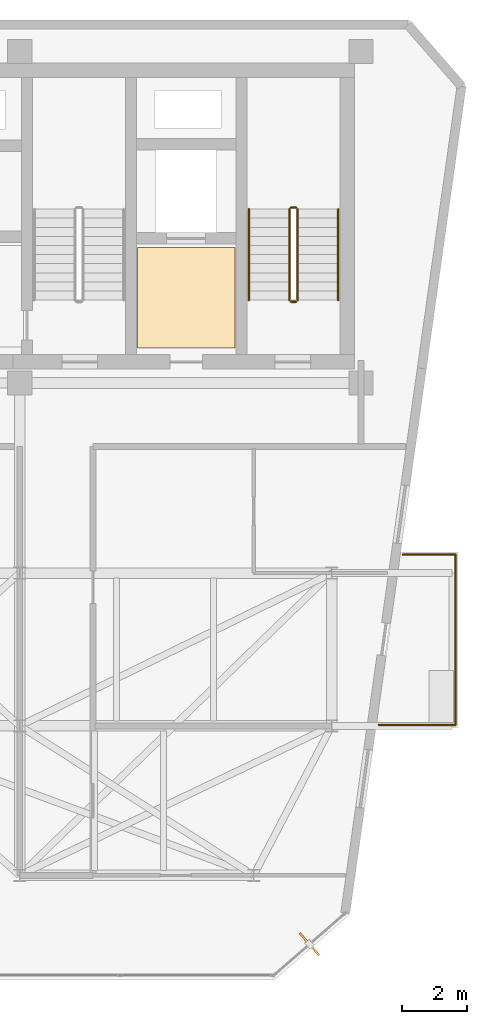
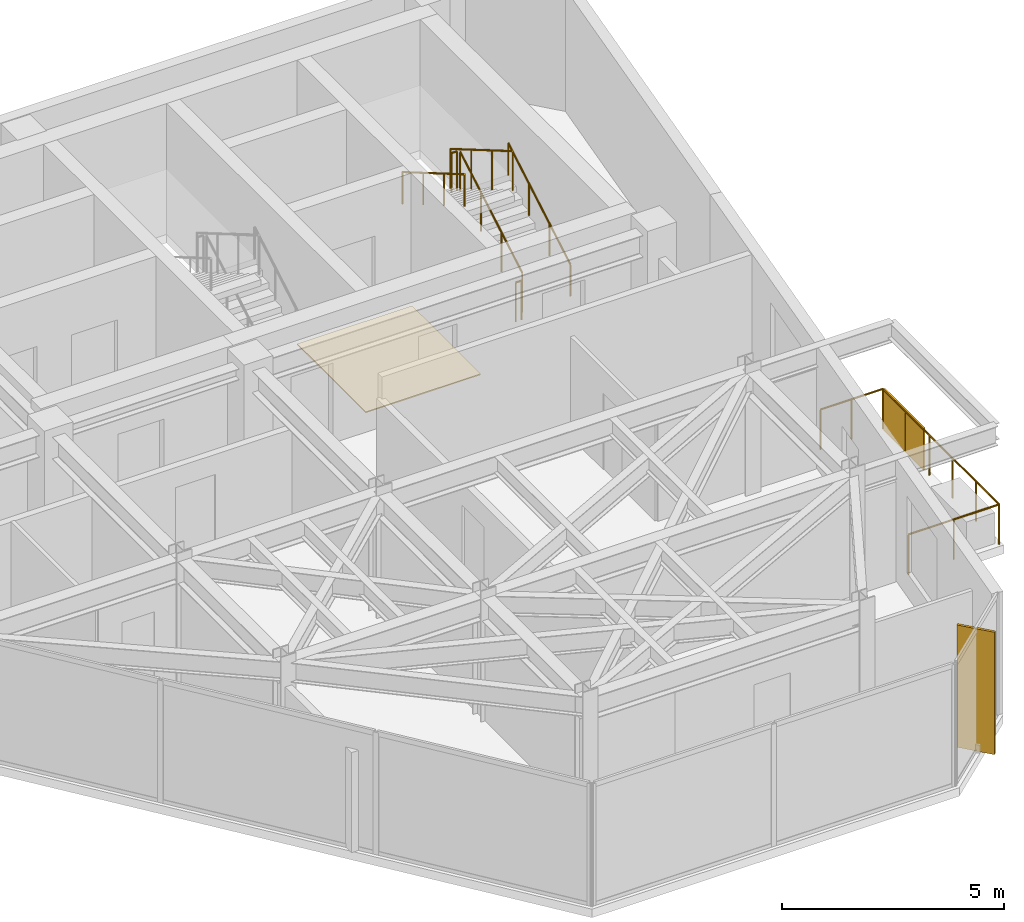
# One storey, part 17 of 17: 9 railings, 2 shading devices, 1 covering.
"""IFC4 building model written with IfcOpenShell, lengths in metres."""

from ifc_helpers import new_model, si_unit, direction, frame, origin, origin_2d, place, context, subcontext, project, spatial, polyline, rectangle, circle, outline, extrude, material, layer, layer_set, type_object, element, save


model = new_model("IFC4")

# Units and contexts
model_context = context("Model", 3, precision=1e-05, world=origin(), true_north=direction((0.0, 1.0)))
body_context = subcontext(model_context, "Body", "Model", "MODEL_VIEW")
ifc_project = project(units=[si_unit("LENGTHUNIT", "METRE"), si_unit("AREAUNIT", "SQUARE_METRE"), si_unit("VOLUMEUNIT", "CUBIC_METRE"), si_unit("PLANEANGLEUNIT", "RADIAN"), si_unit("MASSUNIT", "GRAM", prefix="KILO")], contexts=[model_context])

# Site, building, storey
site_placement = place(None, origin())
site = spatial("IfcSite", under=ifc_project, at=site_placement, CompositionType="ELEMENT")
building_placement = place(site_placement, origin())
building = spatial("IfcBuilding", under=site, at=building_placement, Name="Kravanh Interchange Tower", CompositionType="ELEMENT")
storey_placement = place(building_placement, frame((0.0, 0.0, 282.300048828125)))
storey = spatial("IfcBuildingStorey", under=building, at=storey_placement, Name="L69", CompositionType="ELEMENT", Elevation=282.300048828125)

# Covering
ifc_material_1 = material(Name="Cementitious Terrazzo Tile")
ifc_layer_1 = layer(ifc_material_1, 0.030029296875)
ifc_layer_set_1 = layer_set([ifc_layer_1], Name="Honed Terrazzo Lobby Flooring 30mm")
covering_type = type_object("IfcCoveringType", Name="Honed Terrazzo Lobby Flooring 30mm", PredefinedType="FLOORING", material=ifc_layer_set_1)
covering_placement = place(storey_placement, origin())
element("IfcCovering", 1, at=covering_placement, inside=storey, type_object=covering_type, Name="L69 Service Lift Lobby Floor Finish", PredefinedType="FLOORING", context=body_context, shape_type="SweptSolid", body=[
    extrude(outline(polyline([(59.6298828125, 41.52001953125), (62.6201171875, 41.52001953125), (62.6201171875, 38.429931640625), (59.6298828125, 38.429931640625), (59.6298828125, 41.52001953125)])), origin(), (0.0, 0.0, 1.0), 0.030029296875),
])

# Shading device
ifc_material_2 = material(Name="Perforated Anodised Bronze Aluminium", Category="aluminium")
ifc_layer_2 = layer(ifc_material_2, 0.0400390625)
ifc_layer_set_2 = layer_set([ifc_layer_2], Name="Perforated Bronze Balcony Privacy Screen 1150mm")
shading_device_type_1 = type_object("IfcShadingDeviceType", Name="Perforated Bronze Balcony Privacy Screen 1150mm", PredefinedType="USERDEFINED", material=ifc_layer_set_2)
shading_device_1_placement = place(storey_placement, frame((69.409912109375, 31.10009765625, 0.0), z_axis=(0.0, 0.0, 1.0), x_axis=(1.0, 0.0, 0.0)))
element("IfcShadingDevice", 2, at=shading_device_1_placement, inside=storey, type_object=shading_device_type_1, Name="L69 E Perforated Bronze BALCONY SCREEN", ObjectType="SCREEN", PredefinedType="USERDEFINED", context=body_context, shape_type="SweptSolid", body=[
    extrude(rectangle(XDim=0.0400390625, YDim=1.800048828125, at=origin_2d()), origin(), (0.0, 0.0, 1.0), 1.14990234375),
])

# Railings
ifc_material_3 = material(Name="Stainless Steel 316", Category="steel")
ifc_layer_3 = layer(ifc_material_3, 0.06005859375)
ifc_layer_set_3 = layer_set([ifc_layer_3], Name="Perimeter Balcony and Terrace Guardrail Stainless 316 1120mm")
railing_type_1 = type_object("IfcRailingType", Name="Perimeter Balcony and Terrace Guardrail Stainless 316 1120mm", PredefinedType="GUARDRAIL", material=ifc_layer_set_3)
railing_1_placement = place(storey_placement, frame((69.409912109375, 32.070068359375, 0.0)))
element("IfcRailing", 3, at=railing_1_placement, inside=storey, type_object=railing_type_1, Name="L69 E Balcony Guardrail 1", PredefinedType="GUARDRAIL", context=body_context, shape_type="SweptSolid", body=[
    extrude(circle(Radius=0.02392578125, at=origin_2d()), frame((0.0, 0.0, 1.09619140625), z_axis=(0.0, -1.0, 0.0), x_axis=(1.0, 0.0, 0.0)), (0.0, 0.0, 1.0), 5.239990234375),
    extrude(circle(Radius=0.02099609375, at=origin_2d()), origin(), (0.0, 0.0, 1.0), 1.072021484375),
    extrude(circle(Radius=0.02099609375, at=origin_2d()), frame((0.0, -1.048095703125, 0.0)), (0.0, 0.0, 1.0), 1.072021484375),
    extrude(circle(Radius=0.02099609375, at=origin_2d()), frame((0.0, -2.095947265625, 0.0)), (0.0, 0.0, 1.0), 1.072021484375),
    extrude(circle(Radius=0.02099609375, at=origin_2d()), frame((0.0, -3.14404296875, 0.0)), (0.0, 0.0, 1.0), 1.072021484375),
    extrude(circle(Radius=0.02099609375, at=origin_2d()), frame((0.0, -4.19189453125, 0.0)), (0.0, 0.0, 1.0), 1.072021484375),
    extrude(circle(Radius=0.02099609375, at=origin_2d()), frame((0.0, -5.239990234375, 0.0)), (0.0, 0.0, 1.0), 1.072021484375),
])
railing_2_placement = place(storey_placement, frame((69.409912109375, 26.830078125, 0.0)))
element("IfcRailing", 4, at=railing_2_placement, inside=storey, type_object=railing_type_1, Name="L69 E Balcony Guardrail 2", PredefinedType="GUARDRAIL", context=body_context, shape_type="SweptSolid", body=[
    extrude(circle(Radius=0.02392578125, at=origin_2d()), frame((0.0, 0.0, 1.09619140625), z_axis=(-1.0, 0.0, 0.0), x_axis=(0.0, -1.0, 0.0)), (0.0, 0.0, 1.0), 2.359619140625),
    extrude(circle(Radius=0.02099609375, at=origin_2d()), origin(), (0.0, 0.0, 1.0), 1.072021484375),
    extrude(circle(Radius=0.02099609375, at=origin_2d()), frame((-1.1796875, 0.0, 0.0)), (0.0, 0.0, 1.0), 1.072021484375),
    extrude(circle(Radius=0.02099609375, at=origin_2d()), frame((-2.359619140625, 0.0, 0.0)), (0.0, 0.0, 1.0), 1.072021484375),
])
railing_3_placement = place(storey_placement, frame((67.786865234375, 32.070068359375, 0.0)))
element("IfcRailing", 5, at=railing_3_placement, inside=storey, type_object=railing_type_1, Name="L69 E Balcony Guardrail 3", PredefinedType="GUARDRAIL", context=body_context, shape_type="SweptSolid", body=[
    extrude(circle(Radius=0.02392578125, at=origin_2d()), frame((0.0, 0.0, 1.09619140625), z_axis=(1.0, 0.0, 0.0), x_axis=(0.0, 1.0, 0.0)), (0.0, 0.0, 1.0), 1.623046875),
    extrude(circle(Radius=0.02099609375, at=origin_2d()), origin(), (0.0, 0.0, 1.0), 1.072021484375),
    extrude(circle(Radius=0.02099609375, at=origin_2d()), frame((0.8115234375, 0.0, 0.0)), (0.0, 0.0, 1.0), 1.072021484375),
    extrude(circle(Radius=0.02099609375, at=origin_2d()), frame((1.623046875, 0.0, 0.0)), (0.0, 0.0, 1.0), 1.072021484375),
])
ifc_material_4 = material(Name="Structural Steel S355", Category="steel")
ifc_layer_4 = layer(ifc_material_4, 0.050048828125)
ifc_layer_set_4 = layer_set([ifc_layer_4], Name="Stair Well Guardrail Structural Steel S355 1100mm")
railing_type_2 = type_object("IfcRailingType", Name="Stair Well Guardrail Structural Steel S355 1100mm", PredefinedType="GUARDRAIL", material=ifc_layer_set_4)
railing_4_placement = place(storey_placement, frame((64.550048828125, 39.89990234375, 0.16357421875)))
element("IfcRailing", 6, at=railing_4_placement, inside=storey, type_object=railing_type_2, Name="L69 ST1 stair guard 1", PredefinedType="GUARDRAIL", context=body_context, shape_type="SweptSolid", body=[
    extrude(circle(Radius=0.02392578125, at=origin_2d()), frame((0.0, 0.0, 1.076171875), z_axis=(0.0, 0.863360870873, 0.504586966384), x_axis=(-1.0, 0.0, 0.0)), (0.0, 0.0, 1.0), 3.2431640625),
    extrude(circle(Radius=0.02099609375, at=origin_2d()), origin(), (0.0, 0.0, 1.0), 1.052001953125),
    extrude(circle(Radius=0.02099609375, at=origin_2d()), frame((0.0, 0.933349609375, 0.54541015625)), (0.0, 0.0, 1.0), 1.052001953125),
    extrude(circle(Radius=0.02099609375, at=origin_2d()), frame((0.0, 1.86669921875, 1.091064453125)), (0.0, 0.0, 1.0), 1.052001953125),
    extrude(circle(Radius=0.02099609375, at=origin_2d()), frame((0.0, 2.800048828125, 1.636474609375)), (0.0, 0.0, 1.0), 1.052001953125),
])
railing_5_placement = place(storey_placement, frame((64.5, 42.75, 1.800048828125)))
element("IfcRailing", 7, at=railing_5_placement, inside=storey, type_object=railing_type_2, Name="L69 ST1 stair guard 2", PredefinedType="GUARDRAIL", context=body_context, shape_type="SweptSolid", body=[
    extrude(circle(Radius=0.02392578125, at=origin_2d()), frame((0.0, 0.0, 1.076171875), z_axis=(-1.0, 0.0, 0.0), x_axis=(0.0, -1.0, 0.0)), (0.0, 0.0, 1.0), 0.14990234375),
    extrude(circle(Radius=0.02099609375, at=origin_2d()), origin(), (0.0, 0.0, 1.0), 1.052001953125),
    extrude(circle(Radius=0.02099609375, at=origin_2d()), frame((-0.14990234375, 0.0, 0.0)), (0.0, 0.0, 1.0), 1.052001953125),
])
railing_6_placement = place(storey_placement, frame((64.300048828125, 42.699951171875, 1.963623046875)))
element("IfcRailing", 8, at=railing_6_placement, inside=storey, type_object=railing_type_2, Name="L69 ST1 stair guard 3", PredefinedType="GUARDRAIL", context=body_context, shape_type="SweptSolid", body=[
    extrude(circle(Radius=0.02392578125, at=origin_2d()), frame((0.0, 0.0, 1.076171875), z_axis=(0.0, -0.863393664356, 0.504530851732), x_axis=(1.0, 0.0, 0.0)), (0.0, 0.0, 1.0), 3.2431640625),
    extrude(circle(Radius=0.02099609375, at=origin_2d()), origin(), (0.0, 0.0, 1.0), 1.052001953125),
    extrude(circle(Radius=0.02099609375, at=origin_2d()), frame((0.0, -0.933349609375, 0.54541015625)), (0.0, 0.0, 1.0), 1.052001953125),
    extrude(circle(Radius=0.02099609375, at=origin_2d()), frame((0.0, -1.86669921875, 1.0908203125)), (0.0, 0.0, 1.0), 1.052001953125),
    extrude(circle(Radius=0.02099609375, at=origin_2d()), frame((0.0, -2.800048828125, 1.63623046875)), (0.0, 0.0, 1.0), 1.052001953125),
])
railing_7_placement = place(storey_placement, frame((64.5, 39.85009765625, 0.0)))
element("IfcRailing", 9, at=railing_7_placement, inside=storey, type_object=railing_type_2, Name="L69 ST1 stair guard 4", PredefinedType="GUARDRAIL", context=body_context, shape_type="SweptSolid", body=[
    extrude(circle(Radius=0.02392578125, at=origin_2d()), frame((0.0, 0.0, 1.076171875), z_axis=(-1.0, 0.0, 0.0), x_axis=(0.0, -1.0, 0.0)), (0.0, 0.0, 1.0), 0.14990234375),
    extrude(circle(Radius=0.02099609375, at=origin_2d()), origin(), (0.0, 0.0, 1.0), 1.052001953125),
    extrude(circle(Radius=0.02099609375, at=origin_2d()), frame((-0.14990234375, 0.0, 0.0)), (0.0, 0.0, 1.0), 1.052001953125),
])
ifc_material_5 = material(Name="Stainless Steel 304", Category="steel")
ifc_layer_5 = layer(ifc_material_5, 0.044921875)
ifc_layer_set_5 = layer_set([ifc_layer_5], Name="Tubular Stair Handrail Stainless 304 900mm")
railing_type_3 = type_object("IfcRailingType", Name="Tubular Stair Handrail Stainless 304 900mm", PredefinedType="HANDRAIL", material=ifc_layer_set_5)
railing_8_placement = place(storey_placement, frame((65.800048828125, 39.89990234375, 0.16357421875)))
element("IfcRailing", 10, at=railing_8_placement, inside=storey, type_object=railing_type_3, Name="L69 ST1 stair handrail 1", PredefinedType="HANDRAIL", context=body_context, shape_type="SweptSolid", body=[
    extrude(circle(Radius=0.02392578125, at=origin_2d()), frame((0.0, 0.0, 0.8759765625), z_axis=(0.0, 0.863360870873, 0.504586966384), x_axis=(-1.0, 0.0, 0.0)), (0.0, 0.0, 1.0), 3.2431640625),
    extrude(circle(Radius=0.02099609375, at=origin_2d()), origin(), (0.0, 0.0, 1.0), 0.851806640625),
    extrude(circle(Radius=0.02099609375, at=origin_2d()), frame((0.0, 0.933349609375, 0.54541015625)), (0.0, 0.0, 1.0), 0.851806640625),
    extrude(circle(Radius=0.02099609375, at=origin_2d()), frame((0.0, 1.86669921875, 1.091064453125)), (0.0, 0.0, 1.0), 0.851806640625),
    extrude(circle(Radius=0.02099609375, at=origin_2d()), frame((0.0, 2.800048828125, 1.636474609375)), (0.0, 0.0, 1.0), 0.851806640625),
])
railing_9_placement = place(storey_placement, frame((63.050048828125, 42.699951171875, 1.963623046875)))
element("IfcRailing", 11, at=railing_9_placement, inside=storey, type_object=railing_type_3, Name="L69 ST1 stair handrail 2", PredefinedType="HANDRAIL", context=body_context, shape_type="SweptSolid", body=[
    extrude(circle(Radius=0.02392578125, at=origin_2d()), frame((0.0, 0.0, 0.8759765625), z_axis=(0.0, -0.863393664356, 0.504530851732), x_axis=(1.0, 0.0, 0.0)), (0.0, 0.0, 1.0), 3.2431640625),
    extrude(circle(Radius=0.02099609375, at=origin_2d()), origin(), (0.0, 0.0, 1.0), 0.851806640625),
    extrude(circle(Radius=0.02099609375, at=origin_2d()), frame((0.0, -0.933349609375, 0.54541015625)), (0.0, 0.0, 1.0), 0.851806640625),
    extrude(circle(Radius=0.02099609375, at=origin_2d()), frame((0.0, -1.86669921875, 1.0908203125)), (0.0, 0.0, 1.0), 0.851806640625),
    extrude(circle(Radius=0.02099609375, at=origin_2d()), frame((0.0, -2.800048828125, 1.63623046875)), (0.0, 0.0, 1.0), 0.851806640625),
])

# Shading device
ifc_material_6 = material(Name="Anodised Champagne Bronze Aluminium", Category="aluminium")
ifc_layer_6 = layer(ifc_material_6, 0.06005859375)
ifc_layer_set_6 = layer_set([ifc_layer_6], Name="Vertical Bronze Solar Fin 900mm")
shading_device_type_2 = type_object("IfcShadingDeviceType", Name="Vertical Bronze Solar Fin 900mm", PredefinedType="USERDEFINED", material=ifc_layer_set_6)
shading_device_2_placement = place(storey_placement, frame((64.91455078125, 20.080810546875, 0.0), z_axis=(0.0, 0.0, 1.0), x_axis=(0.656043386928, -0.754723177376, 0.0)))
element("IfcShadingDevice", 12, at=shading_device_2_placement, inside=storey, type_object=shading_device_type_2, Name="L69 BRONZE SOLAR FIN 2", ObjectType="FIN", PredefinedType="USERDEFINED", context=body_context, shape_type="SweptSolid", body=[
    extrude(rectangle(XDim=0.89990234375, YDim=0.06005859375, at=origin_2d()), origin(), (0.0, 0.0, 1.0), 3.364990234375),
])

save(model, "model.ifc")
